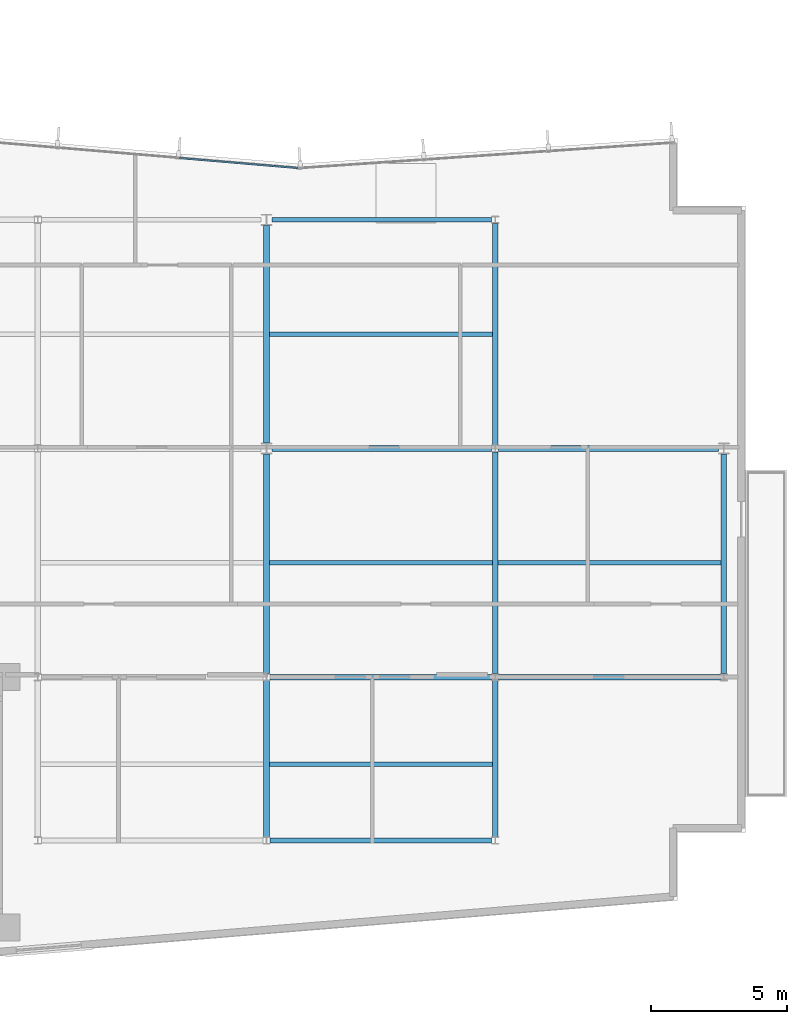
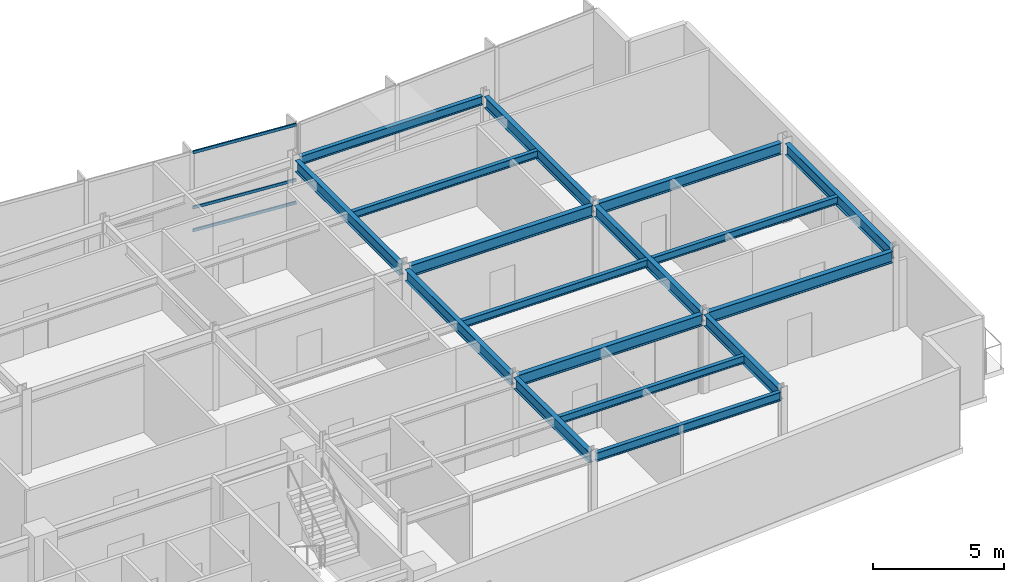
# One storey, part 6 of 14: 17 beams, 3 members, 1 element without a shape of its own.
"""IFC4 building model written with IfcOpenShell, lengths in metres."""

from ifc_helpers import new_model, si_unit, direction, frame, origin, origin_2d, place, context, subcontext, project, spatial, hollow_rectangle, i_section, extrude, material, layer, layer_set, material_profile, profile_set, type_object, element, aggregate, save


model = new_model("IFC4")

# Units and contexts
model_context = context("Model", 3, precision=1e-05, world=origin(), true_north=direction((0.0, 1.0)))
body_context = subcontext(model_context, "Body", "Model", "MODEL_VIEW")
ifc_project = project(units=[si_unit("LENGTHUNIT", "METRE"), si_unit("AREAUNIT", "SQUARE_METRE"), si_unit("VOLUMEUNIT", "CUBIC_METRE"), si_unit("PLANEANGLEUNIT", "RADIAN"), si_unit("MASSUNIT", "GRAM", prefix="KILO")], contexts=[model_context])

# Site, building, storey
site_placement = place(None, origin())
site = spatial("IfcSite", under=ifc_project, at=site_placement, CompositionType="ELEMENT")
building_placement = place(site_placement, origin())
building = spatial("IfcBuilding", under=site, at=building_placement, Name="Varnakote Quay Hospital", CompositionType="ELEMENT")
storey_placement = place(building_placement, frame((0.0, 0.0, 211.85009765625)))
storey = spatial("IfcBuildingStorey", under=building, at=storey_placement, Name="L52", CompositionType="ELEMENT", Elevation=211.85009765625)

# Beams
ifc_material_1 = material(Name="Structural steel AS/NZS 3679.1 Grade 350 L0 (fy 340 MPa)", Category="steel")
ifc_material_profile_1 = material_profile(ifc_material_1, i_section(OverallWidth=0.208984375, OverallDepth=0.528076171875, WebThickness=0.009521484375, FlangeThickness=0.01318359375, FilletRadius=0.013916015625, at=origin_2d()), Name="530UB82.0")
ifc_profile_set_1 = profile_set([ifc_material_profile_1], Name="Structural steel AS/NZS 3679.1 Grade 350 L0 (fy 340 MPa)")
beam_type_1 = type_object("IfcBeamType", Name="BM-STL-530UB82-0", PredefinedType="BEAM", material=ifc_profile_set_1)
beam_1_placement = place(storey_placement, frame((33.60009765625, 6.1298828125, 3.44580078125), z_axis=(0.0, 1.0, 0.0), x_axis=(-1.0, 0.0, 0.0)))
element("IfcBeam", 1, at=beam_1_placement, inside=storey, type_object=beam_type_1, Name="L52 Primary Tie Beam", PredefinedType="BEAM", context=body_context, shape_type="SweptSolid", body=[
    extrude(i_section(OverallWidth=0.208984375, OverallDepth=0.528076171875, WebThickness=0.009521484375, FlangeThickness=0.01318359375, FilletRadius=0.013916015625, at=origin_2d()), origin(), (0.0, 0.0, 1.0), 5.740234375),
])
beam_2_placement = place(storey_placement, frame((33.60009765625, 12.1298828125, 3.44580078125), z_axis=(0.0, 1.0, 0.0), x_axis=(-1.0, 0.0, 0.0)))
element("IfcBeam", 2, at=beam_2_placement, inside=storey, type_object=beam_type_1, Name="L52 Primary Tie Beam", PredefinedType="BEAM", context=body_context, shape_type="SweptSolid", body=[
    extrude(i_section(OverallWidth=0.208984375, OverallDepth=0.528076171875, WebThickness=0.009521484375, FlangeThickness=0.01318359375, FilletRadius=0.013916015625, at=origin_2d()), origin(), (0.0, 0.0, 1.0), 8.068115234375),
])
beam_3_placement = place(storey_placement, frame((33.60009765625, 20.60205078125, 3.44580078125), z_axis=(0.0, 1.0, 0.0), x_axis=(-1.0, 0.0, 0.0)))
element("IfcBeam", 3, at=beam_3_placement, inside=storey, type_object=beam_type_1, Name="L52 Primary Tie Beam", PredefinedType="BEAM", context=body_context, shape_type="SweptSolid", body=[
    extrude(i_section(OverallWidth=0.208984375, OverallDepth=0.528076171875, WebThickness=0.009521484375, FlangeThickness=0.01318359375, FilletRadius=0.013916015625, at=origin_2d()), origin(), (0.0, 0.0, 1.0), 7.995849609375),
])
beam_4_placement = place(storey_placement, frame((42.0, 6.1298828125, 3.44580078125), z_axis=(0.0, 1.0, 0.0), x_axis=(-1.0, 0.0, 0.0)))
element("IfcBeam", 4, at=beam_4_placement, inside=storey, type_object=beam_type_1, Name="L52 Primary Tie Beam", PredefinedType="BEAM", context=body_context, shape_type="SweptSolid", body=[
    extrude(i_section(OverallWidth=0.208984375, OverallDepth=0.528076171875, WebThickness=0.009521484375, FlangeThickness=0.01318359375, FilletRadius=0.013916015625, at=origin_2d()), origin(), (0.0, 0.0, 1.0), 5.740234375),
])
beam_5_placement = place(storey_placement, frame((42.0, 12.1298828125, 3.44580078125), z_axis=(0.0, 1.0, 0.0), x_axis=(-1.0, 0.0, 0.0)))
element("IfcBeam", 5, at=beam_5_placement, inside=storey, type_object=beam_type_1, Name="L52 Primary Tie Beam", PredefinedType="BEAM", context=body_context, shape_type="SweptSolid", body=[
    extrude(i_section(OverallWidth=0.208984375, OverallDepth=0.528076171875, WebThickness=0.009521484375, FlangeThickness=0.01318359375, FilletRadius=0.013916015625, at=origin_2d()), origin(), (0.0, 0.0, 1.0), 8.14013671875),
])
beam_6_placement = place(storey_placement, frame((42.0, 20.530029296875, 3.44580078125), z_axis=(0.0, 1.0, 0.0), x_axis=(-1.0, 0.0, 0.0)))
element("IfcBeam", 6, at=beam_6_placement, inside=storey, type_object=beam_type_1, Name="L52 Primary Tie Beam", PredefinedType="BEAM", context=body_context, shape_type="SweptSolid", body=[
    extrude(i_section(OverallWidth=0.208984375, OverallDepth=0.528076171875, WebThickness=0.009521484375, FlangeThickness=0.01318359375, FilletRadius=0.013916015625, at=origin_2d()), origin(), (0.0, 0.0, 1.0), 8.139892578125),
])
beam_7_placement = place(storey_placement, frame((50.39990234375, 12.1298828125, 3.44580078125), z_axis=(0.0, 1.0, 0.0), x_axis=(-1.0, 0.0, 0.0)))
element("IfcBeam", 7, at=beam_7_placement, inside=storey, type_object=beam_type_1, Name="L52 Primary Tie Beam", PredefinedType="BEAM", context=body_context, shape_type="SweptSolid", body=[
    extrude(i_section(OverallWidth=0.208984375, OverallDepth=0.528076171875, WebThickness=0.009521484375, FlangeThickness=0.01318359375, FilletRadius=0.013916015625, at=origin_2d()), origin(), (0.0, 0.0, 1.0), 8.068115234375),
])
ifc_material_2 = material(Name="Structural steel AS/NZS 3679.1 Grade 350 L0 (fy 340 MPa)", Category="steel")
ifc_material_profile_2 = material_profile(ifc_material_2, i_section(OverallWidth=0.208984375, OverallDepth=0.532958984375, WebThickness=0.01025390625, FlangeThickness=0.015625, FilletRadius=0.013916015625, at=origin_2d()), Name="530UB92.4")
ifc_profile_set_2 = profile_set([ifc_material_profile_2], Name="Structural steel AS/NZS 3679.1 Grade 350 L0 (fy 340 MPa)")
beam_type_2 = type_object("IfcBeamType", Name="BM-STL-530UB92-4", PredefinedType="BEAM", material=ifc_profile_set_2)
for number, where, z_axis, x_axis, name in (
    (8, (33.72802734375, 12.0, 3.443359375), (1.0, 0.0, 0.0), (0.0, 1.0, 0.0), "L52 Primary Floor Beam"),
    (9, (42.1279296875, 12.0, 3.443359375), (1.0, 0.0, 0.0), (0.0, 1.0, 0.0), "L52 Primary Floor Beam"),
):
    element("IfcBeam", number, at=place(storey_placement, frame(where, z_axis=z_axis, x_axis=x_axis)), inside=storey, type_object=beam_type_2, Name=name, PredefinedType="BEAM", context=body_context, shape_type="SweptSolid", body=[
        extrude(i_section(OverallWidth=0.208984375, OverallDepth=0.532958984375, WebThickness=0.01025390625, FlangeThickness=0.015625, FilletRadius=0.013916015625, at=origin_2d()), origin(), (0.0, 0.0, 1.0), 8.14404296875),
    ])
for number, where, z_axis, x_axis, name in (
    (10, (33.800048828125, 20.39990234375, 3.443359375), (1.0, 0.0, 0.0), (0.0, 1.0, 0.0), "L52 Primary Floor Beam"),
    (11, (42.1279296875, 20.39990234375, 3.443359375), (1.0, 0.0, 0.0), (0.0, 1.0, 0.0), "L52 Primary Floor Beam"),
):
    element("IfcBeam", number, at=place(storey_placement, frame(where, z_axis=z_axis, x_axis=x_axis)), inside=storey, type_object=beam_type_2, Name=name, PredefinedType="BEAM", context=body_context, shape_type="SweptSolid", body=[
        extrude(i_section(OverallWidth=0.208984375, OverallDepth=0.532958984375, WebThickness=0.01025390625, FlangeThickness=0.015625, FilletRadius=0.013916015625, at=origin_2d()), origin(), (0.0, 0.0, 1.0), 8.072021484375),
    ])

# Curtain wall, members
ifc_material_3 = material(Name="Anodised aluminium 6063-T6 Bronze", Category="aluminium")
ifc_layer = layer(ifc_material_3, 0.219970703125)
ifc_layer_set = layer_set([ifc_layer], Name="Anodised aluminium 6063-T6 Bronze")
curtain_wall_type = type_object("IfcCurtainWallType", Name="CW-SYS-4", PredefinedType="NOTDEFINED", material=ifc_layer_set)
curtain_wall_placement = place(storey_placement, origin())
curtain_wall = element("IfcCurtainWall", 12, at=curtain_wall_placement, inside=storey, type_object=curtain_wall_type, Name="L52 Unitised Bronze Curtain Wall 2", PredefinedType="NOTDEFINED")
ifc_material_4 = material(Name="Anodised aluminium 6063-T6 Bronze", Category="aluminium")
ifc_material_profile_3 = material_profile(ifc_material_4, hollow_rectangle(XDim=0.06494140625, YDim=0.139892578125, WallThickness=0.00390625, InnerFilletRadius=0.00390625, OuterFilletRadius=0.007568359375, at=origin_2d()), Name="CW-TRAN-140x65")
ifc_profile_set_3 = profile_set([ifc_material_profile_3], Name="Anodised aluminium 6063-T6 Bronze")
member_type = type_object("IfcMemberType", Name="CW-TRAN-140x65", PredefinedType="USERDEFINED", material=ifc_profile_set_3)
member_1_placement = place(storey_placement, frame((34.75, 30.700927734375, 0.032470703125), z_axis=(-0.996453440464, 0.084145950507, 0.0), x_axis=(-0.084145950507, -0.996453440464, 0.0)))
member_1 = element("IfcMember", 13, at=member_1_placement, type_object=member_type, Name="-4-L52-2 transom 1.1", ObjectType="TRANSOM", PredefinedType="USERDEFINED", context=body_context, shape_type="SweptSolid", body=[
    extrude(hollow_rectangle(XDim=0.06494140625, YDim=0.139892578125, WallThickness=0.00390625, InnerFilletRadius=0.00390625, OuterFilletRadius=0.007568359375, at=origin_2d()), origin(), (0.0, 0.0, 1.0), 4.369384765625),
])
member_2_placement = place(storey_placement, frame((34.75, 30.700927734375, 1.099853515625), z_axis=(-0.996453440464, 0.084145950507, 0.0), x_axis=(-0.084145950507, -0.996453440464, 0.0)))
member_2 = element("IfcMember", 14, at=member_2_placement, type_object=member_type, Name="-4-L52-2 transom 1.2", ObjectType="TRANSOM", PredefinedType="USERDEFINED", context=body_context, shape_type="SweptSolid", body=[
    extrude(hollow_rectangle(XDim=0.06494140625, YDim=0.139892578125, WallThickness=0.00390625, InnerFilletRadius=0.00390625, OuterFilletRadius=0.007568359375, at=origin_2d()), origin(), (0.0, 0.0, 1.0), 4.369384765625),
])
member_3_placement = place(storey_placement, frame((34.75, 30.700927734375, 3.677490234375), z_axis=(-0.996453440464, 0.084145950507, 0.0), x_axis=(-0.084145950507, -0.996453440464, 0.0)))
member_3 = element("IfcMember", 15, at=member_3_placement, type_object=member_type, Name="-4-L52-2 transom 1.3", ObjectType="TRANSOM", PredefinedType="USERDEFINED", context=body_context, shape_type="SweptSolid", body=[
    extrude(hollow_rectangle(XDim=0.06494140625, YDim=0.139892578125, WallThickness=0.00390625, InnerFilletRadius=0.00390625, OuterFilletRadius=0.007568359375, at=origin_2d()), origin(), (0.0, 0.0, 1.0), 4.369384765625),
])
aggregate(curtain_wall, [member_1, member_2, member_3])

# Beams
ifc_material_5 = material(Name="Structural steel AS/NZS 3679.1 Grade 350 L0 (fy 340 MPa)", Category="steel")
ifc_material_profile_4 = material_profile(ifc_material_5, i_section(OverallWidth=0.1708984375, OverallDepth=0.35595703125, WebThickness=0.00732421875, FlangeThickness=0.011474609375, FilletRadius=0.011474609375, at=origin_2d()), Name="360UB50.7")
ifc_profile_set_4 = profile_set([ifc_material_profile_4], Name="Structural steel AS/NZS 3679.1 Grade 350 L0 (fy 340 MPa)")
beam_type_3 = type_object("IfcBeamType", Name="JST-STL-360UB50-7", PredefinedType="JOIST", material=ifc_profile_set_4)
for number, where, z_axis, x_axis, name in (
    (16, (33.70458984375, 8.800048828125, 3.531982421875), (1.0, 0.0, 0.0), (0.0, 1.0, 0.0), "L52 Composite Floor Joist"),
    (17, (33.70458984375, 16.199951171875, 3.531982421875), (1.0, 0.0, 0.0), (0.0, 1.0, 0.0), "L52 Composite Floor Joist"),
    (18, (42.1044921875, 16.199951171875, 3.531982421875), (1.0, 0.0, 0.0), (0.0, 1.0, 0.0), "L52 Composite Floor Joist"),
    (19, (33.70458984375, 24.60009765625, 3.531982421875), (1.0, 0.0, 0.0), (0.0, 1.0, 0.0), "L52 Composite Floor Joist"),
):
    element("IfcBeam", number, at=place(storey_placement, frame(where, z_axis=z_axis, x_axis=x_axis)), inside=storey, type_object=beam_type_3, Name=name, PredefinedType="JOIST", context=body_context, shape_type="SweptSolid", body=[
        extrude(i_section(OverallWidth=0.1708984375, OverallDepth=0.35595703125, WebThickness=0.00732421875, FlangeThickness=0.011474609375, FilletRadius=0.011474609375, at=origin_2d()), origin(), (0.0, 0.0, 1.0), 8.19091796875),
    ])
ifc_material_6 = material(Name="Structural steel AS/NZS 3679.1 Grade 350 L0 (fy 340 MPa)", Category="steel")
ifc_material_profile_5 = material_profile(ifc_material_6, i_section(OverallWidth=0.177978515625, OverallDepth=0.406005859375, WebThickness=0.0078125, FlangeThickness=0.0126953125, FilletRadius=0.011474609375, at=origin_2d()), Name="410UB59.7")
ifc_profile_set_5 = profile_set([ifc_material_profile_5], Name="Structural steel AS/NZS 3679.1 Grade 350 L0 (fy 340 MPa)")
beam_type_4 = type_object("IfcBeamType", Name="SPN-STL-410UB59-7", PredefinedType="SPANDREL", material=ifc_profile_set_5)
beam_8_placement = place(storey_placement, frame((33.72802734375, 6.0, 3.5068359375), z_axis=(1.0, 0.0, 0.0), x_axis=(0.0, 1.0, 0.0)))
element("IfcBeam", 20, at=beam_8_placement, inside=storey, type_object=beam_type_4, Name="L52 Perimeter Spandrel Beam", PredefinedType="SPANDREL", context=body_context, shape_type="SweptSolid", body=[
    extrude(i_section(OverallWidth=0.177978515625, OverallDepth=0.406005859375, WebThickness=0.0078125, FlangeThickness=0.0126953125, FilletRadius=0.011474609375, at=origin_2d()), origin(), (0.0, 0.0, 1.0), 8.14404296875),
])
beam_9_placement = place(storey_placement, frame((33.800048828125, 28.800048828125, 3.5068359375), z_axis=(1.0, 0.0, 0.0), x_axis=(0.0, 1.0, 0.0)))
element("IfcBeam", 21, at=beam_9_placement, inside=storey, type_object=beam_type_4, Name="L52 Perimeter Spandrel Beam", PredefinedType="SPANDREL", context=body_context, shape_type="SweptSolid", body=[
    extrude(i_section(OverallWidth=0.177978515625, OverallDepth=0.406005859375, WebThickness=0.0078125, FlangeThickness=0.0126953125, FilletRadius=0.011474609375, at=origin_2d()), origin(), (0.0, 0.0, 1.0), 8.072021484375),
])

save(model, "model.ifc")
